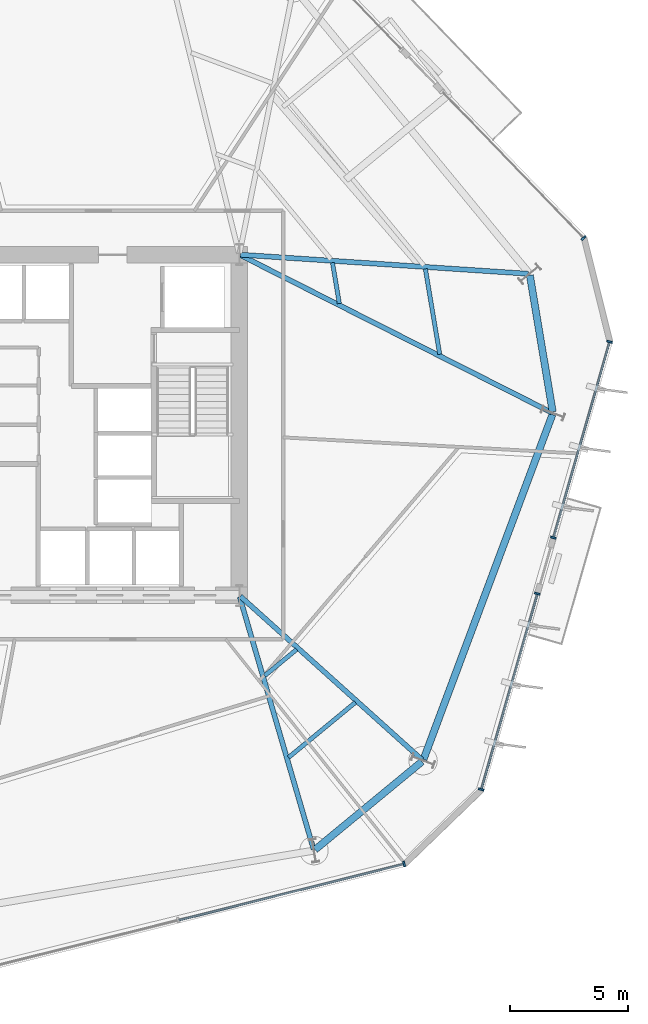
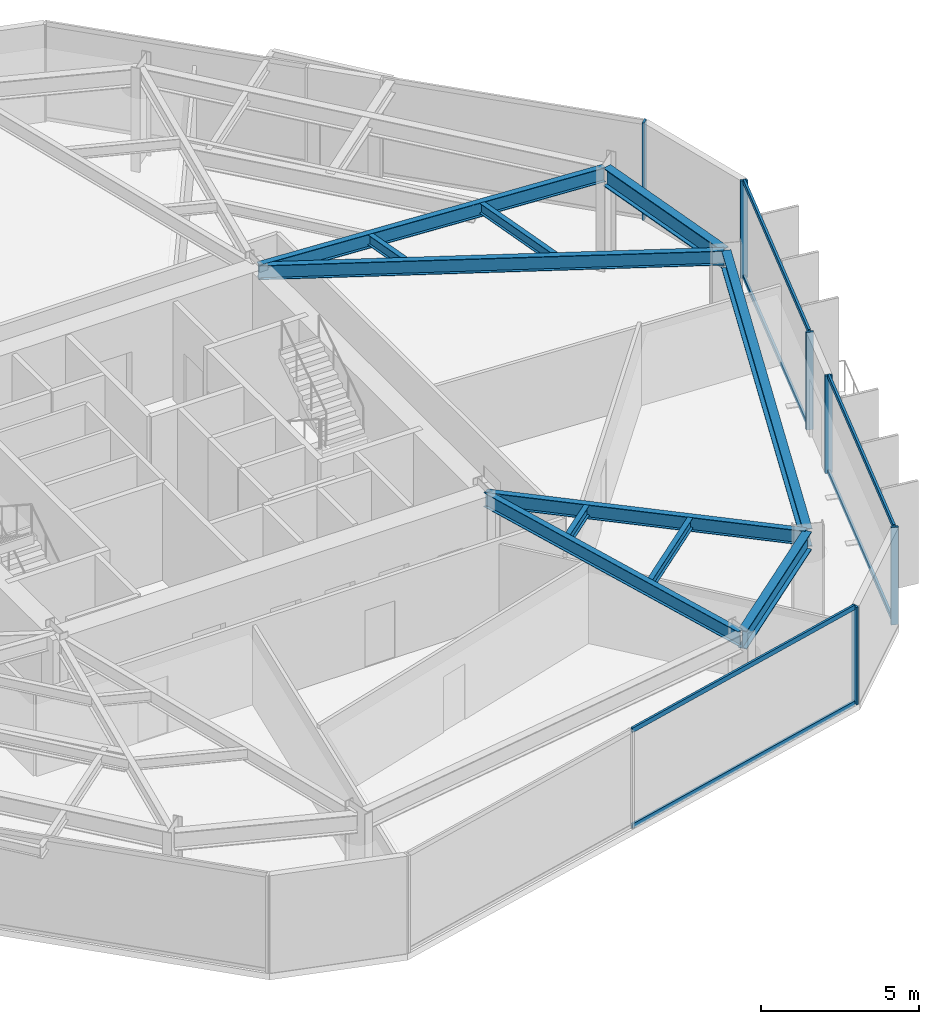
# One storey, part 3 of 10: 12 members, 11 beams, 4 elements without a shape of their own.
"""IFC4 building model written with IfcOpenShell, lengths in metres."""

from ifc_helpers import new_model, si_unit, direction, frame, origin, origin_2d, place, context, subcontext, project, spatial, rectangle, i_section, extrude, material, layer, layer_set, material_profile, profile_set, type_object, element, aggregate, save


model = new_model("IFC4")

# Units and contexts
model_context = context("Model", 3, precision=1e-05, world=origin(), true_north=direction((0.0, 1.0)))
body_context = subcontext(model_context, "Body", "Model", "MODEL_VIEW")
ifc_project = project(units=[si_unit("LENGTHUNIT", "METRE"), si_unit("AREAUNIT", "SQUARE_METRE"), si_unit("VOLUMEUNIT", "CUBIC_METRE"), si_unit("PLANEANGLEUNIT", "RADIAN"), si_unit("MASSUNIT", "GRAM", prefix="KILO")], contexts=[model_context])

# Site, building, storey
site_placement = place(None, origin())
site = spatial("IfcSite", under=ifc_project, at=site_placement, CompositionType="ELEMENT")
building_placement = place(site_placement, origin())
building = spatial("IfcBuilding", under=site, at=building_placement, Name="Kranzbogen Civic Tower", CompositionType="ELEMENT")
storey_placement = place(building_placement, frame((0.0, 0.0, 76.0)))
storey = spatial("IfcBuildingStorey", under=building, at=storey_placement, Name="L18", CompositionType="ELEMENT", Elevation=76.0)

# Curtain wall, member
ifc_material_1 = material(Name="Pale Anodised Aluminium", Category="aluminium")
ifc_layer = layer(ifc_material_1, 0.219970703125, Name="Pale Anodised Aluminium")
ifc_layer_set = layer_set([ifc_layer], Name="Pale Anodised Aluminium")
curtain_wall_type = type_object("IfcCurtainWallType", Name="Zone 1 Stick Curtain Wall System CW-02", PredefinedType="USERDEFINED", material=ifc_layer_set)
curtain_wall_1_placement = place(storey_placement, origin())
curtain_wall_1 = element("IfcCurtainWall", 1, at=curtain_wall_1_placement, inside=storey, type_object=curtain_wall_type, Name="L18 curtain wall CW-L18-F1-S1", ObjectType="STICK CURTAIN WALL", PredefinedType="USERDEFINED")
ifc_material_profile_1 = material_profile(ifc_material_1, rectangle(XDim=0.080078125, YDim=0.239990234375, at=origin_2d()), Name="ALU-M 80x240")
ifc_profile_set_1 = profile_set([ifc_material_profile_1], Name="Pale Anodised Aluminium")
member_type_1 = type_object("IfcMemberType", Name="Curtain Wall Mullion ALU-M 80x240", PredefinedType="MULLION", material=ifc_profile_set_1)
member_1_placement = place(storey_placement, frame((47.355224609375, 32.905517578125, 0.0), z_axis=(0.0, 0.0, 1.0), x_axis=(-0.694662411477, 0.719335897951, 0.0)))
member_1 = element("IfcMember", 2, at=member_1_placement, type_object=member_type_1, Name="CW-02 mullion 1", PredefinedType="MULLION", context=body_context, shape_type="SweptSolid", body=[
    extrude(rectangle(XDim=0.080078125, YDim=0.239990234375, at=origin_2d()), origin(), (0.0, 0.0, 1.0), 3.760009765625),
])
aggregate(curtain_wall_1, [member_1])

curtain_wall_2_placement = place(storey_placement, origin())
curtain_wall_2 = element("IfcCurtainWall", 3, at=curtain_wall_2_placement, inside=storey, type_object=curtain_wall_type, Name="L18 curtain wall CW-L18-F5", ObjectType="STICK CURTAIN WALL", PredefinedType="USERDEFINED")
member_2_placement = place(storey_placement, frame((39.768798828125, 6.44873046875, 0.0), z_axis=(0.0, 0.0, 1.0), x_axis=(0.970303166734, 0.241892051596, 0.0)))
member_2 = element("IfcMember", 4, at=member_2_placement, type_object=member_type_1, Name="CW-02 mullion 3", PredefinedType="MULLION", context=body_context, shape_type="SweptSolid", body=[
    extrude(rectangle(XDim=0.080078125, YDim=0.239990234375, at=origin_2d()), origin(), (0.0, 0.0, 1.0), 3.760009765625),
])

# Curtain wall, members
curtain_wall_3_placement = place(storey_placement, origin())
curtain_wall_3 = element("IfcCurtainWall", 5, at=curtain_wall_3_placement, inside=storey, type_object=curtain_wall_type, Name="L18 curtain wall CW-L18-F6-S1", ObjectType="STICK CURTAIN WALL", PredefinedType="USERDEFINED")
member_3_placement = place(storey_placement, frame((43.024169921875, 9.5927734375, 0.0), z_axis=(0.0, 0.0, 1.0), x_axis=(0.275710924696, 0.961240597355, 0.0)))
member_3 = element("IfcMember", 6, at=member_3_placement, type_object=member_type_1, Name="CW-02 mullion 1", PredefinedType="MULLION", context=body_context, shape_type="SweptSolid", body=[
    extrude(rectangle(XDim=0.080078125, YDim=0.239990234375, at=origin_2d()), origin(), (0.0, 0.0, 1.0), 3.760009765625),
])
member_4_placement = place(storey_placement, frame((45.398681640625, 17.87109375, 0.0), z_axis=(0.0, 0.0, 1.0), x_axis=(0.275710924696, 0.961240597355, 0.0)))
member_4 = element("IfcMember", 7, at=member_4_placement, type_object=member_type_1, Name="CW-02 mullion 2", PredefinedType="MULLION", context=body_context, shape_type="SweptSolid", body=[
    extrude(rectangle(XDim=0.080078125, YDim=0.239990234375, at=origin_2d()), origin(), (0.0, 0.0, 1.0), 3.760009765625),
])

curtain_wall_4_placement = place(storey_placement, origin())
curtain_wall_4 = element("IfcCurtainWall", 8, at=curtain_wall_4_placement, inside=storey, type_object=curtain_wall_type, Name="L18 curtain wall CW-L18-F6-S2", ObjectType="STICK CURTAIN WALL", PredefinedType="USERDEFINED")
member_5_placement = place(storey_placement, frame((46.076171875, 20.23583984375, 0.0), z_axis=(0.0, 0.0, 1.0), x_axis=(0.275710924696, 0.961240597355, 0.0)))
member_5 = element("IfcMember", 9, at=member_5_placement, type_object=member_type_1, Name="CW-02 mullion 1", PredefinedType="MULLION", context=body_context, shape_type="SweptSolid", body=[
    extrude(rectangle(XDim=0.080078125, YDim=0.239990234375, at=origin_2d()), origin(), (0.0, 0.0, 1.0), 3.760009765625),
])
member_6_placement = place(storey_placement, frame((48.45068359375, 28.51416015625, 0.0), z_axis=(0.0, 0.0, 1.0), x_axis=(0.275710924696, 0.961240597355, 0.0)))
member_6 = element("IfcMember", 10, at=member_6_placement, type_object=member_type_1, Name="CW-02 mullion 2", PredefinedType="MULLION", context=body_context, shape_type="SweptSolid", body=[
    extrude(rectangle(XDim=0.080078125, YDim=0.239990234375, at=origin_2d()), origin(), (0.0, 0.0, 1.0), 3.760009765625),
])

# Member
ifc_material_profile_2 = material_profile(ifc_material_1, rectangle(XDim=0.080078125, YDim=0.179931640625, at=origin_2d()), Name="ALU-T 80x180")
ifc_profile_set_2 = profile_set([ifc_material_profile_2], Name="Pale Anodised Aluminium")
member_type_2 = type_object("IfcMemberType", Name="Curtain Wall Transom ALU-T 80x180", PredefinedType="USERDEFINED", material=ifc_profile_set_2)
member_7_placement = place(storey_placement, frame((30.248046875, 4.0751953125, 0.030029296875), z_axis=(0.97030377581, 0.241889608394, 0.0), x_axis=(-0.241889608394, 0.97030377581, 0.0)))
member_7 = element("IfcMember", 11, at=member_7_placement, type_object=member_type_2, Name="CW-02 transom 2.1", ObjectType="TRANSOM", PredefinedType="USERDEFINED", context=body_context, shape_type="SweptSolid", body=[
    extrude(rectangle(XDim=0.080078125, YDim=0.179931640625, at=origin_2d()), origin(), (0.0, 0.0, 1.0), 9.7822265625),
])

member_8_placement = place(storey_placement, frame((30.248046875, 4.0751953125, 3.72998046875), z_axis=(0.97030377581, 0.241889608394, 0.0), x_axis=(-0.241889608394, 0.97030377581, 0.0)))
member_8 = element("IfcMember", 12, at=member_8_placement, type_object=member_type_2, Name="CW-02 transom 2.2", ObjectType="TRANSOM", PredefinedType="USERDEFINED", context=body_context, shape_type="SweptSolid", body=[
    extrude(rectangle(XDim=0.080078125, YDim=0.179931640625, at=origin_2d()), origin(), (0.0, 0.0, 1.0), 9.7822265625),
])

aggregate(curtain_wall_2, [member_2, member_7, member_8])

member_9_placement = place(storey_placement, frame((43.032470703125, 9.62158203125, 0.030029296875), z_axis=(0.275708823638, 0.961241199995, 0.0), x_axis=(-0.961241199995, 0.275708823638, 0.0)))
member_9 = element("IfcMember", 13, at=member_9_placement, type_object=member_type_2, Name="CW-02 transom 1.1", ObjectType="TRANSOM", PredefinedType="USERDEFINED", context=body_context, shape_type="SweptSolid", body=[
    extrude(rectangle(XDim=0.080078125, YDim=0.179931640625, at=origin_2d()), origin(), (0.0, 0.0, 1.0), 8.55224609375),
])

member_10_placement = place(storey_placement, frame((43.032470703125, 9.62158203125, 3.72998046875), z_axis=(0.275708823638, 0.961241199995, 0.0), x_axis=(-0.961241199995, 0.275708823638, 0.0)))
member_10 = element("IfcMember", 14, at=member_10_placement, type_object=member_type_2, Name="CW-02 transom 1.2", ObjectType="TRANSOM", PredefinedType="USERDEFINED", context=body_context, shape_type="SweptSolid", body=[
    extrude(rectangle(XDim=0.080078125, YDim=0.179931640625, at=origin_2d()), origin(), (0.0, 0.0, 1.0), 8.55224609375),
])

aggregate(curtain_wall_3, [member_3, member_4, member_9, member_10])

member_11_placement = place(storey_placement, frame((46.08447265625, 20.2646484375, 0.030029296875), z_axis=(0.275708823638, 0.961241199995, 0.0), x_axis=(-0.961241199995, 0.275708823638, 0.0)))
member_11 = element("IfcMember", 15, at=member_11_placement, type_object=member_type_2, Name="CW-02 transom 1.1", ObjectType="TRANSOM", PredefinedType="USERDEFINED", context=body_context, shape_type="SweptSolid", body=[
    extrude(rectangle(XDim=0.080078125, YDim=0.179931640625, at=origin_2d()), origin(), (0.0, 0.0, 1.0), 8.55224609375),
])

member_12_placement = place(storey_placement, frame((46.08447265625, 20.2646484375, 3.72998046875), z_axis=(0.275708823638, 0.961241199995, 0.0), x_axis=(-0.961241199995, 0.275708823638, 0.0)))
member_12 = element("IfcMember", 16, at=member_12_placement, type_object=member_type_2, Name="CW-02 transom 1.2", ObjectType="TRANSOM", PredefinedType="USERDEFINED", context=body_context, shape_type="SweptSolid", body=[
    extrude(rectangle(XDim=0.080078125, YDim=0.179931640625, at=origin_2d()), origin(), (0.0, 0.0, 1.0), 8.55224609375),
])

aggregate(curtain_wall_4, [member_5, member_6, member_11, member_12])

# Beams
ifc_material_2 = material(Name="Steel S355", Category="steel")
ifc_material_profile_3 = material_profile(ifc_material_2, i_section(OverallWidth=0.300048828125, OverallDepth=0.699951171875, WebThickness=0.01708984375, FlangeThickness=0.031982421875, at=origin_2d()), Name="HEB 700")
ifc_profile_set_3 = profile_set([ifc_material_profile_3], Name="Steel S355")
beam_type_1 = type_object("IfcBeamType", Name="Perimeter Tube Spandrel Beam HEB 700", PredefinedType="SPANDREL", material=ifc_profile_set_3)
beam_1_placement = place(storey_placement, frame((36.00390625, 7.050048828125, 3.409912109375), z_axis=(0.77168336865, 0.636006901337, 0.0), x_axis=(-0.636006901337, 0.77168336865, 0.0)))
element("IfcBeam", 17, at=beam_1_placement, inside=storey, type_object=beam_type_1, Name="L18 perimeter spandrel beam 05", PredefinedType="SPANDREL", context=body_context, shape_type="SweptSolid", body=[
    extrude(i_section(OverallWidth=0.300048828125, OverallDepth=0.699951171875, WebThickness=0.01708984375, FlangeThickness=0.031982421875, at=origin_2d()), origin(), (0.0, 0.0, 1.0), 5.853515625),
])
beam_2_placement = place(storey_placement, frame((40.587890625, 10.866943359375, 3.409912109375), z_axis=(0.350172267932, 0.936685316833, 0.0), x_axis=(-0.936685316833, 0.350172267932, 0.0)))
element("IfcBeam", 18, at=beam_2_placement, inside=storey, type_object=beam_type_1, Name="L18 perimeter spandrel beam 06", PredefinedType="SPANDREL", context=body_context, shape_type="SweptSolid", body=[
    extrude(i_section(OverallWidth=0.300048828125, OverallDepth=0.699951171875, WebThickness=0.01708984375, FlangeThickness=0.031982421875, at=origin_2d()), origin(), (0.0, 0.0, 1.0), 15.55810546875),
])
beam_3_placement = place(storey_placement, frame((46.047119140625, 25.554931640625, 3.409912109375), z_axis=(-0.164913116942, 0.986308097838, 0.0), x_axis=(-0.986308097838, -0.164913116942, 0.0)))
element("IfcBeam", 19, at=beam_3_placement, inside=storey, type_object=beam_type_1, Name="L18 perimeter spandrel beam 07", PredefinedType="SPANDREL", context=body_context, shape_type="SweptSolid", body=[
    extrude(i_section(OverallWidth=0.300048828125, OverallDepth=0.699951171875, WebThickness=0.01708984375, FlangeThickness=0.031982421875, at=origin_2d()), origin(), (0.0, 0.0, 1.0), 5.85205078125),
])
ifc_material_profile_4 = material_profile(ifc_material_2, i_section(OverallWidth=0.2099609375, OverallDepth=0.550048828125, WebThickness=0.010986328125, FlangeThickness=0.01708984375, at=origin_2d()), Name="IPE 550")
ifc_profile_set_4 = profile_set([ifc_material_profile_4], Name="Steel S355")
beam_type_2 = type_object("IfcBeamType", Name="Radial Tower Floor Girder IPE 550", PredefinedType="BEAM", material=ifc_profile_set_4)
beam_4_placement = place(storey_placement, frame((35.94091796875, 7.070068359375, 3.485107421875), z_axis=(-0.280944131918, 0.959724124288, 0.0), x_axis=(-0.959724124288, -0.280944131918, 0.0)))
element("IfcBeam", 20, at=beam_4_placement, inside=storey, type_object=beam_type_2, Name="L18 radial floor girder 05", PredefinedType="BEAM", context=body_context, shape_type="SweptSolid", body=[
    extrude(i_section(OverallWidth=0.2099609375, OverallDepth=0.550048828125, WebThickness=0.010986328125, FlangeThickness=0.01708984375, at=origin_2d()), origin(), (0.0, 0.0, 1.0), 11.11962890625),
])
beam_5_placement = place(storey_placement, frame((40.52197265625, 10.85107421875, 3.485107421875), z_axis=(-0.743311776894, 0.668945141496, 0.0), x_axis=(-0.668945141496, -0.743311776894, 0.0)))
element("IfcBeam", 21, at=beam_5_placement, inside=storey, type_object=beam_type_2, Name="L18 radial floor girder 06", PredefinedType="BEAM", context=body_context, shape_type="SweptSolid", body=[
    extrude(i_section(OverallWidth=0.2099609375, OverallDepth=0.550048828125, WebThickness=0.010986328125, FlangeThickness=0.01708984375, at=origin_2d()), origin(), (0.0, 0.0, 1.0), 10.328125),
])
beam_6_placement = place(storey_placement, frame((46.0029296875, 25.52294921875, 3.485107421875), z_axis=(-0.892363219254, 0.451317942168, 0.0), x_axis=(-0.451317942168, -0.892363219254, 0.0)))
element("IfcBeam", 22, at=beam_6_placement, inside=storey, type_object=beam_type_2, Name="L18 radial floor girder 07", PredefinedType="BEAM", context=body_context, shape_type="SweptSolid", body=[
    extrude(i_section(OverallWidth=0.2099609375, OverallDepth=0.550048828125, WebThickness=0.010986328125, FlangeThickness=0.01708984375, at=origin_2d()), origin(), (0.0, 0.0, 1.0), 14.73486328125),
])
beam_7_placement = place(storey_placement, frame((45.011962890625, 31.389892578125, 3.485107421875), z_axis=(-0.99780674843, 0.066194356156, 0.0), x_axis=(-0.066194356156, -0.99780674843, 0.0)))
element("IfcBeam", 23, at=beam_7_placement, inside=storey, type_object=beam_type_2, Name="L18 radial floor girder 08", PredefinedType="BEAM", context=body_context, shape_type="SweptSolid", body=[
    extrude(i_section(OverallWidth=0.2099609375, OverallDepth=0.550048828125, WebThickness=0.010986328125, FlangeThickness=0.01708984375, at=origin_2d()), origin(), (0.0, 0.0, 1.0), 12.178466796875),
])
ifc_material_profile_5 = material_profile(ifc_material_2, i_section(OverallWidth=0.179931640625, OverallDepth=0.39990234375, WebThickness=0.008544921875, FlangeThickness=0.013427734375, at=origin_2d()), Name="IPE 400")
ifc_profile_set_5 = profile_set([ifc_material_profile_5], Name="Steel S355")
beam_type_3 = type_object("IfcBeamType", Name="Secondary Composite Floor Joist IPE 400", PredefinedType="JOIST", material=ifc_profile_set_5)
beam_8_placement = place(storey_placement, frame((34.883056640625, 10.947021484375, 3.56005859375), z_axis=(0.771712720426, 0.635971286406, 0.0), x_axis=(-0.635971286406, 0.771712720426, 0.0)))
element("IfcBeam", 24, at=beam_8_placement, inside=storey, type_object=beam_type_3, Name="L18 secondary floor joist 1.05", PredefinedType="JOIST", context=body_context, shape_type="SweptSolid", body=[
    extrude(i_section(OverallWidth=0.179931640625, OverallDepth=0.39990234375, WebThickness=0.008544921875, FlangeThickness=0.013427734375, at=origin_2d()), origin(), (0.0, 0.0, 1.0), 3.661865234375),
])
beam_9_placement = place(storey_placement, frame((33.8720703125, 14.39892578125, 3.56005859375), z_axis=(0.771773324836, 0.635897739477, 0.0), x_axis=(-0.635897739477, 0.771773324836, 0.0)))
element("IfcBeam", 25, at=beam_9_placement, inside=storey, type_object=beam_type_3, Name="L18 secondary floor joist 2.05", PredefinedType="JOIST", context=body_context, shape_type="SweptSolid", body=[
    extrude(i_section(OverallWidth=0.179931640625, OverallDepth=0.39990234375, WebThickness=0.008544921875, FlangeThickness=0.013427734375, at=origin_2d()), origin(), (0.0, 0.0, 1.0), 1.751953125),
])
beam_10_placement = place(storey_placement, frame((41.27099609375, 27.988037109375, 3.56005859375), z_axis=(-0.164928678379, 0.986305495802, 0.0), x_axis=(-0.986305495802, -0.164928678379, 0.0)))
element("IfcBeam", 26, at=beam_10_placement, inside=storey, type_object=beam_type_3, Name="L18 secondary floor joist 1.07", PredefinedType="JOIST", context=body_context, shape_type="SweptSolid", body=[
    extrude(i_section(OverallWidth=0.179931640625, OverallDepth=0.39990234375, WebThickness=0.008544921875, FlangeThickness=0.013427734375, at=origin_2d()), origin(), (0.0, 0.0, 1.0), 3.662109375),
])
beam_11_placement = place(storey_placement, frame((37.029052734375, 30.134033203125, 3.56005859375), z_axis=(-0.165077224104, 0.986280644686, 0.0), x_axis=(-0.986280644686, -0.165077224104, 0.0)))
element("IfcBeam", 27, at=beam_11_placement, inside=storey, type_object=beam_type_3, Name="L18 secondary floor joist 2.07", PredefinedType="JOIST", context=body_context, shape_type="SweptSolid", body=[
    extrude(i_section(OverallWidth=0.179931640625, OverallDepth=0.39990234375, WebThickness=0.008544921875, FlangeThickness=0.013427734375, at=origin_2d()), origin(), (0.0, 0.0, 1.0), 1.7509765625),
])

save(model, "model.ifc")
